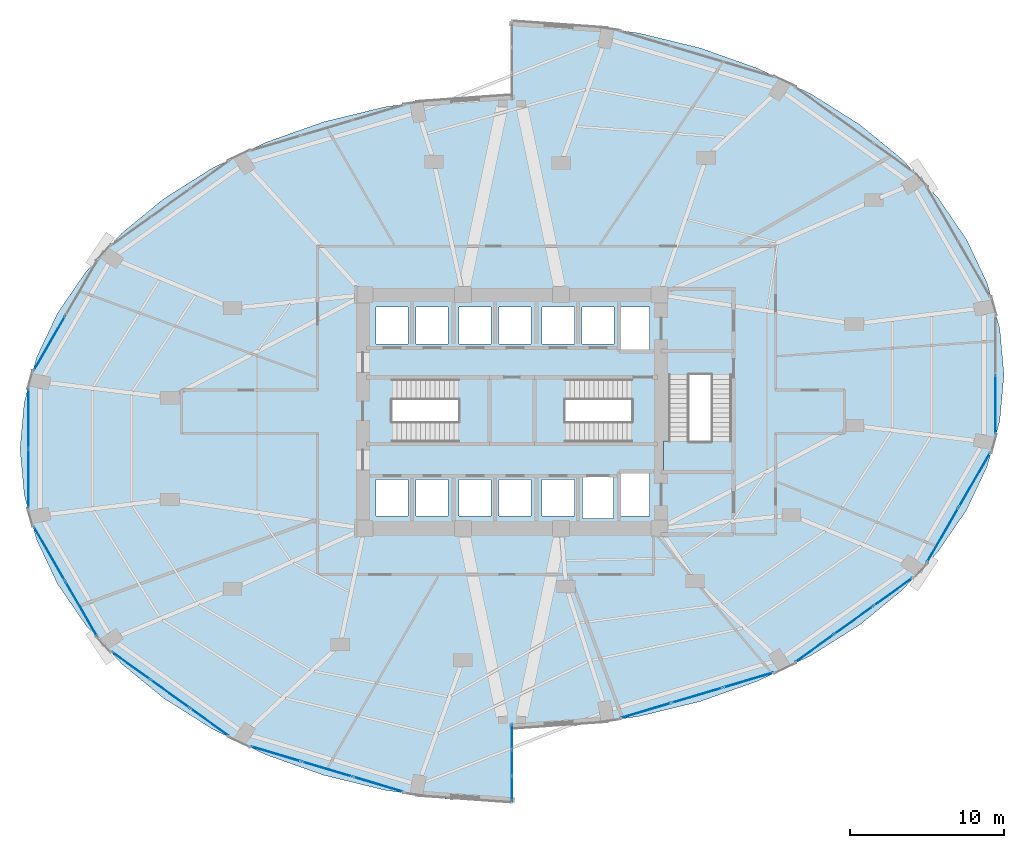
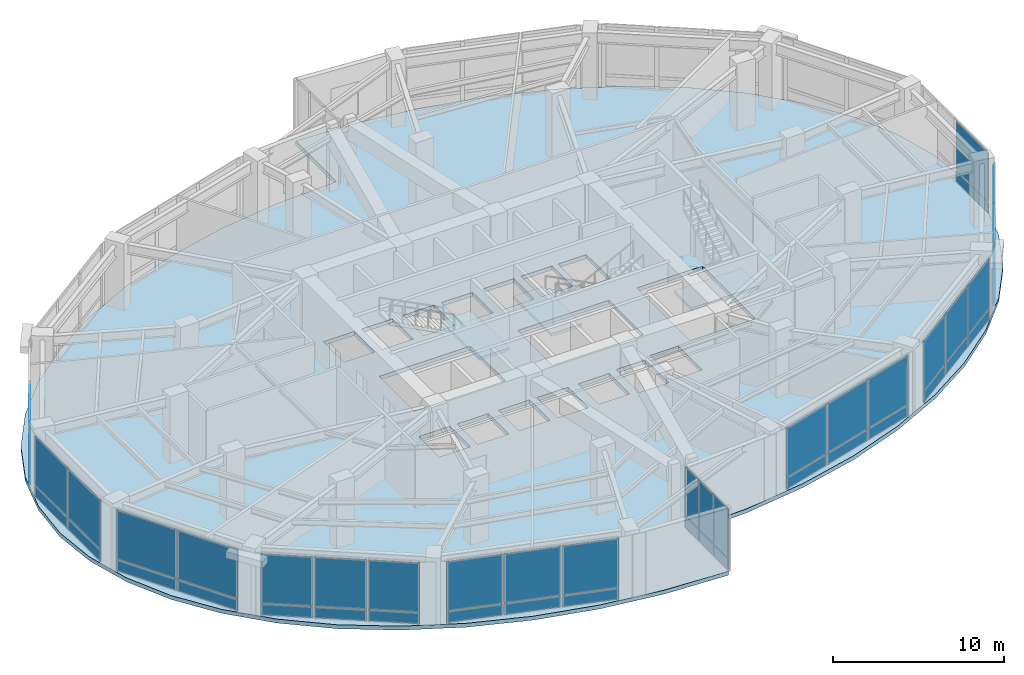
# One storey, part 19 of 24: 46 plates, 4 slabs, 13 elements without a shape of their own.
"""IFC4 building model written with IfcOpenShell, lengths in metres."""

from ifc_helpers import new_model, si_unit, direction, frame, origin, origin_2d, place, context, subcontext, project, spatial, polyline, rectangle, outline, extrude, material, layer, layer_set, type_object, element, aggregate, save


model = new_model("IFC4")

# Units and contexts
model_context = context("Model", 3, precision=1e-05, world=origin(), true_north=direction((0.0, 1.0)))
body_context = subcontext(model_context, "Body", "Model", "MODEL_VIEW")
ifc_project = project(units=[si_unit("LENGTHUNIT", "METRE"), si_unit("AREAUNIT", "SQUARE_METRE"), si_unit("VOLUMEUNIT", "CUBIC_METRE"), si_unit("PLANEANGLEUNIT", "RADIAN"), si_unit("MASSUNIT", "GRAM", prefix="KILO")], contexts=[model_context])

# Site, building, storey
site_placement = place(None, origin())
site = spatial("IfcSite", under=ifc_project, at=site_placement, CompositionType="ELEMENT")
building_placement = place(site_placement, origin())
building = spatial("IfcBuilding", under=site, at=building_placement, Name="Lazwardi Medical Tower", CompositionType="ELEMENT")
storey_placement = place(building_placement, frame((0.0, 0.0, 15.60009765625)))
storey = spatial("IfcBuildingStorey", under=building, at=storey_placement, Name="L03", CompositionType="ELEMENT", Elevation=15.60009765625)

# Curtain wall, plates
ifc_material_1 = material(Name="Anodised bronze aluminium and solar control glazing", Category="aluminium")
ifc_layer_1 = layer(ifc_material_1, 0.219970703125)
ifc_layer_set_1 = layer_set([ifc_layer_1], Name="Anodised bronze aluminium and solar control glazing")
curtain_wall_type_1 = type_object("IfcCurtainWallType", Name="CW-SYS-01", PredefinedType="NOTDEFINED", material=ifc_layer_set_1)
curtain_wall_1_placement = place(storey_placement, origin())
curtain_wall_1 = element("IfcCurtainWall", 1, at=curtain_wall_1_placement, inside=storey, type_object=curtain_wall_type_1, Name="L03 Unitised bronze curtain wall CW-01", PredefinedType="NOTDEFINED")
ifc_material_2 = material(Name="Bronze girih ceramic-frit spandrel glazing", Category="glass")
ifc_layer_2 = layer(ifc_material_2, 0.048095703125)
ifc_layer_set_2 = layer_set([ifc_layer_2], Name="Bronze girih ceramic-frit spandrel glazing")
plate_type_1 = type_object("IfcPlateType", Name="PLT-FRT-01", PredefinedType="CURTAIN_PANEL", material=ifc_layer_set_2)
plate_1_placement = place(storey_placement, frame((44.689453125, 8.552001953125, 0.0849609375), z_axis=(0.0, 0.0, 1.0), x_axis=(0.958513482597, 0.285047195531, 0.0)))
plate_1 = element("IfcPlate", 2, at=plate_1_placement, type_object=plate_type_1, Name="CW-01 panel 1.1", PredefinedType="CURTAIN_PANEL", context=body_context, shape_type="SweptSolid", body=[
    extrude(rectangle(XDim=3.380126953125, YDim=0.048095703125, at=origin_2d()), origin(), (0.0, 0.0, 1.0), 0.7724609375),
])
plate_2_placement = place(storey_placement, frame((48.031494140625, 9.5458984375, 0.0849609375), z_axis=(0.0, 0.0, 1.0), x_axis=(0.958513482597, 0.285047195531, 0.0)))
plate_2 = element("IfcPlate", 3, at=plate_2_placement, type_object=plate_type_1, Name="CW-01 panel 2.1", PredefinedType="CURTAIN_PANEL", context=body_context, shape_type="SweptSolid", body=[
    extrude(rectangle(XDim=3.422607421875, YDim=0.048095703125, at=origin_2d()), origin(), (0.0, 0.0, 1.0), 0.7724609375),
])
plate_3_placement = place(storey_placement, frame((51.373291015625, 10.539794921875, 0.0849609375), z_axis=(0.0, 0.0, 1.0), x_axis=(0.958513482597, 0.285047195531, 0.0)))
plate_3 = element("IfcPlate", 4, at=plate_3_placement, type_object=plate_type_1, Name="CW-01 panel 3.1", PredefinedType="CURTAIN_PANEL", context=body_context, shape_type="SweptSolid", body=[
    extrude(rectangle(XDim=3.380126953125, YDim=0.048095703125, at=origin_2d()), origin(), (0.0, 0.0, 1.0), 0.7724609375),
])

curtain_wall_2_placement = place(storey_placement, origin())
curtain_wall_2 = element("IfcCurtainWall", 5, at=curtain_wall_2_placement, inside=storey, type_object=curtain_wall_type_1, Name="L03 Unitised bronze curtain wall CW-01", PredefinedType="NOTDEFINED")
plate_4_placement = place(storey_placement, frame((55.675048828125, 12.603759765625, 0.0849609375), z_axis=(0.0, 0.0, 1.0), x_axis=(0.812318365083, 0.583214260584, 0.0)))
plate_4 = element("IfcPlate", 6, at=plate_4_placement, type_object=plate_type_1, Name="CW-01 panel 1.1", PredefinedType="CURTAIN_PANEL", context=body_context, shape_type="SweptSolid", body=[
    extrude(rectangle(XDim=3.040283203125, YDim=0.048095703125, at=origin_2d()), origin(), (0.0, 0.0, 1.0), 0.7724609375),
])
plate_5_placement = place(storey_placement, frame((58.231201171875, 14.43896484375, 0.0849609375), z_axis=(0.0, 0.0, 1.0), x_axis=(0.812318365083, 0.583214260584, 0.0)))
plate_5 = element("IfcPlate", 7, at=plate_5_placement, type_object=plate_type_1, Name="CW-01 panel 2.1", PredefinedType="CURTAIN_PANEL", context=body_context, shape_type="SweptSolid", body=[
    extrude(rectangle(XDim=3.082763671875, YDim=0.048095703125, at=origin_2d()), origin(), (0.0, 0.0, 1.0), 0.7724609375),
])
plate_6_placement = place(storey_placement, frame((60.787109375, 16.274169921875, 0.0849609375), z_axis=(0.0, 0.0, 1.0), x_axis=(0.812318365083, 0.583214260584, 0.0)))
plate_6 = element("IfcPlate", 8, at=plate_6_placement, type_object=plate_type_1, Name="CW-01 panel 3.1", PredefinedType="CURTAIN_PANEL", context=body_context, shape_type="SweptSolid", body=[
    extrude(rectangle(XDim=3.040283203125, YDim=0.048095703125, at=origin_2d()), origin(), (0.0, 0.0, 1.0), 0.7724609375),
])

curtain_wall_3_placement = place(storey_placement, origin())
curtain_wall_3 = element("IfcCurtainWall", 9, at=curtain_wall_3_placement, inside=storey, type_object=curtain_wall_type_1, Name="L03 Unitised bronze curtain wall CW-01", PredefinedType="NOTDEFINED")
plate_7_placement = place(storey_placement, frame((64.012451171875, 19.969970703125, 0.0849609375), z_axis=(0.0, 0.0, 1.0), x_axis=(0.499731082384, 0.866180607783, 0.0)))
plate_7 = element("IfcPlate", 10, at=plate_7_placement, type_object=plate_type_1, Name="CW-01 panel 1.1", PredefinedType="CURTAIN_PANEL", context=body_context, shape_type="SweptSolid", body=[
    extrude(rectangle(XDim=4.052734375, YDim=0.048095703125, at=origin_2d()), origin(), (0.0, 0.0, 1.0), 0.7724609375),
])
plate_8_placement = place(storey_placement, frame((66.080322265625, 23.553955078125, 0.0849609375), z_axis=(0.0, 0.0, 1.0), x_axis=(0.499731082384, 0.866180607783, 0.0)))
plate_8 = element("IfcPlate", 11, at=plate_8_placement, type_object=plate_type_1, Name="CW-01 panel 2.1", PredefinedType="CURTAIN_PANEL", context=body_context, shape_type="SweptSolid", body=[
    extrude(rectangle(XDim=4.052734375, YDim=0.048095703125, at=origin_2d()), origin(), (0.0, 0.0, 1.0), 0.7724609375),
])

# Curtain wall, plate
curtain_wall_4_placement = place(storey_placement, origin())
curtain_wall_4 = element("IfcCurtainWall", 12, at=curtain_wall_4_placement, inside=storey, type_object=curtain_wall_type_1, Name="L03 Unitised bronze curtain wall CW-01", PredefinedType="NOTDEFINED")
plate_9_placement = place(storey_placement, frame((67.439697265625, 28.461669921875, 0.0849609375), z_axis=(0.0, 0.0, 1.0), x_axis=(0.0, 1.0, 0.0)))
plate_9 = element("IfcPlate", 13, at=plate_9_placement, type_object=plate_type_1, Name="CW-01 panel 1.1", PredefinedType="CURTAIN_PANEL", context=body_context, shape_type="SweptSolid", body=[
    extrude(rectangle(XDim=3.791748046875, YDim=0.048095703125, at=origin_2d()), origin(), (0.0, 0.0, 1.0), 0.7724609375),
])

curtain_wall_5_placement = place(storey_placement, origin())
curtain_wall_5 = element("IfcCurtainWall", 14, at=curtain_wall_5_placement, inside=storey, type_object=curtain_wall_type_1, Name="L03 Unitised bronze curtain wall CW-01", PredefinedType="NOTDEFINED")
plate_10_placement = place(storey_placement, frame((5.919677734375, 32.446044921875, 0.0849609375), z_axis=(0.0, 0.0, 1.0), x_axis=(-0.499731082384, -0.866180607783, 0.0)))
plate_10 = element("IfcPlate", 15, at=plate_10_placement, type_object=plate_type_1, Name="CW-01 panel 2.1", PredefinedType="CURTAIN_PANEL", context=body_context, shape_type="SweptSolid", body=[
    extrude(rectangle(XDim=4.052734375, YDim=0.048095703125, at=origin_2d()), origin(), (0.0, 0.0, 1.0), 0.7724609375),
])

# Curtain wall, plates
curtain_wall_6_placement = place(storey_placement, origin())
curtain_wall_6 = element("IfcCurtainWall", 16, at=curtain_wall_6_placement, inside=storey, type_object=curtain_wall_type_1, Name="L03 Unitised bronze curtain wall CW-01", PredefinedType="NOTDEFINED")
plate_11_placement = place(storey_placement, frame((4.560302734375, 27.538330078125, 0.0849609375), z_axis=(0.0, 0.0, 1.0), x_axis=(0.0, -1.0, 0.0)))
plate_11 = element("IfcPlate", 17, at=plate_11_placement, type_object=plate_type_1, Name="CW-01 panel 1.1", PredefinedType="CURTAIN_PANEL", context=body_context, shape_type="SweptSolid", body=[
    extrude(rectangle(XDim=3.791748046875, YDim=0.048095703125, at=origin_2d()), origin(), (0.0, 0.0, 1.0), 0.7724609375),
])
plate_12_placement = place(storey_placement, frame((4.560302734375, 23.66162109375, 0.0849609375), z_axis=(0.0, 0.0, 1.0), x_axis=(0.0, -1.0, 0.0)))
plate_12 = element("IfcPlate", 18, at=plate_12_placement, type_object=plate_type_1, Name="CW-01 panel 2.1", PredefinedType="CURTAIN_PANEL", context=body_context, shape_type="SweptSolid", body=[
    extrude(rectangle(XDim=3.791748046875, YDim=0.048095703125, at=origin_2d()), origin(), (0.0, 0.0, 1.0), 0.7724609375),
])

curtain_wall_7_placement = place(storey_placement, origin())
curtain_wall_7 = element("IfcCurtainWall", 19, at=curtain_wall_7_placement, inside=storey, type_object=curtain_wall_type_1, Name="L03 Unitised bronze curtain wall CW-01", PredefinedType="NOTDEFINED")
plate_13_placement = place(storey_placement, frame((5.919677734375, 18.75390625, 0.0849609375), z_axis=(0.0, 0.0, 1.0), x_axis=(0.499731082384, -0.866180607783, 0.0)))
plate_13 = element("IfcPlate", 20, at=plate_13_placement, type_object=plate_type_1, Name="CW-01 panel 1.1", PredefinedType="CURTAIN_PANEL", context=body_context, shape_type="SweptSolid", body=[
    extrude(rectangle(XDim=4.052734375, YDim=0.048095703125, at=origin_2d()), origin(), (0.0, 0.0, 1.0), 0.7724609375),
])
plate_14_placement = place(storey_placement, frame((7.987548828125, 15.169921875, 0.0849609375), z_axis=(0.0, 0.0, 1.0), x_axis=(0.499731082384, -0.866180607783, 0.0)))
plate_14 = element("IfcPlate", 21, at=plate_14_placement, type_object=plate_type_1, Name="CW-01 panel 2.1", PredefinedType="CURTAIN_PANEL", context=body_context, shape_type="SweptSolid", body=[
    extrude(rectangle(XDim=4.052734375, YDim=0.048095703125, at=origin_2d()), origin(), (0.0, 0.0, 1.0), 0.7724609375),
])

curtain_wall_8_placement = place(storey_placement, origin())
curtain_wall_8 = element("IfcCurtainWall", 22, at=curtain_wall_8_placement, inside=storey, type_object=curtain_wall_type_1, Name="L03 Unitised bronze curtain wall CW-01", PredefinedType="NOTDEFINED")
plate_15_placement = place(storey_placement, frame((11.212890625, 11.47412109375, 0.0849609375), z_axis=(0.0, 0.0, 1.0), x_axis=(0.812318365083, -0.583214260584, 0.0)))
plate_15 = element("IfcPlate", 23, at=plate_15_placement, type_object=plate_type_1, Name="CW-01 panel 1.1", PredefinedType="CURTAIN_PANEL", context=body_context, shape_type="SweptSolid", body=[
    extrude(rectangle(XDim=3.040283203125, YDim=0.048095703125, at=origin_2d()), origin(), (0.0, 0.0, 1.0), 0.7724609375),
])
plate_16_placement = place(storey_placement, frame((13.768798828125, 9.638916015625, 0.0849609375), z_axis=(0.0, 0.0, 1.0), x_axis=(0.812318365083, -0.583214260584, 0.0)))
plate_16 = element("IfcPlate", 24, at=plate_16_placement, type_object=plate_type_1, Name="CW-01 panel 2.1", PredefinedType="CURTAIN_PANEL", context=body_context, shape_type="SweptSolid", body=[
    extrude(rectangle(XDim=3.082763671875, YDim=0.048095703125, at=origin_2d()), origin(), (0.0, 0.0, 1.0), 0.7724609375),
])
plate_17_placement = place(storey_placement, frame((16.324951171875, 7.803955078125, 0.0849609375), z_axis=(0.0, 0.0, 1.0), x_axis=(0.812318365083, -0.583214260584, 0.0)))
plate_17 = element("IfcPlate", 25, at=plate_17_placement, type_object=plate_type_1, Name="CW-01 panel 3.1", PredefinedType="CURTAIN_PANEL", context=body_context, shape_type="SweptSolid", body=[
    extrude(rectangle(XDim=3.040283203125, YDim=0.048095703125, at=origin_2d()), origin(), (0.0, 0.0, 1.0), 0.7724609375),
])

curtain_wall_9_placement = place(storey_placement, origin())
curtain_wall_9 = element("IfcCurtainWall", 26, at=curtain_wall_9_placement, inside=storey, type_object=curtain_wall_type_1, Name="L03 Unitised bronze curtain wall CW-01", PredefinedType="NOTDEFINED")
plate_18_placement = place(storey_placement, frame((20.626708984375, 5.73974609375, 0.0849609375), z_axis=(0.0, 0.0, 1.0), x_axis=(0.958513482597, -0.285047195531, 0.0)))
plate_18 = element("IfcPlate", 27, at=plate_18_placement, type_object=plate_type_1, Name="CW-01 panel 1.1", PredefinedType="CURTAIN_PANEL", context=body_context, shape_type="SweptSolid", body=[
    extrude(rectangle(XDim=3.380126953125, YDim=0.048095703125, at=origin_2d()), origin(), (0.0, 0.0, 1.0), 0.7724609375),
])
plate_19_placement = place(storey_placement, frame((23.968505859375, 4.745849609375, 0.0849609375), z_axis=(0.0, 0.0, 1.0), x_axis=(0.958513482597, -0.285047195531, 0.0)))
plate_19 = element("IfcPlate", 28, at=plate_19_placement, type_object=plate_type_1, Name="CW-01 panel 2.1", PredefinedType="CURTAIN_PANEL", context=body_context, shape_type="SweptSolid", body=[
    extrude(rectangle(XDim=3.422607421875, YDim=0.048095703125, at=origin_2d()), origin(), (0.0, 0.0, 1.0), 0.7724609375),
])
plate_20_placement = place(storey_placement, frame((27.310546875, 3.752197265625, 0.0849609375), z_axis=(0.0, 0.0, 1.0), x_axis=(0.958513482597, -0.285047195531, 0.0)))
plate_20 = element("IfcPlate", 29, at=plate_20_placement, type_object=plate_type_1, Name="CW-01 panel 3.1", PredefinedType="CURTAIN_PANEL", context=body_context, shape_type="SweptSolid", body=[
    extrude(rectangle(XDim=3.380126953125, YDim=0.048095703125, at=origin_2d()), origin(), (0.0, 0.0, 1.0), 0.7724609375),
])

# Plate
ifc_material_3 = material(Name="Laminated acoustic bronze double glazing", Category="glass")
ifc_layer_3 = layer(ifc_material_3, 0.0419921875)
ifc_layer_set_3 = layer_set([ifc_layer_3], Name="Laminated acoustic bronze double glazing")
plate_type_2 = type_object("IfcPlateType", Name="PLT-GLZ-02", PredefinedType="CURTAIN_PANEL", material=ifc_layer_set_3)
plate_21_placement = place(storey_placement, frame((44.689453125, 8.552001953125, 0.9423828125), z_axis=(0.0, 0.0, 1.0), x_axis=(0.958513482597, 0.285047195531, 0.0)))
plate_21 = element("IfcPlate", 30, at=plate_21_placement, type_object=plate_type_2, Name="CW-01 panel 1.2", PredefinedType="CURTAIN_PANEL", context=body_context, shape_type="SweptSolid", body=[
    extrude(rectangle(XDim=3.380126953125, YDim=0.0419921875, at=origin_2d()), origin(), (0.0, 0.0, 1.0), 3.492431640625),
])

plate_22_placement = place(storey_placement, frame((48.031494140625, 9.5458984375, 0.9423828125), z_axis=(0.0, 0.0, 1.0), x_axis=(0.958513482597, 0.285047195531, 0.0)))
plate_22 = element("IfcPlate", 31, at=plate_22_placement, type_object=plate_type_2, Name="CW-01 panel 2.2", PredefinedType="CURTAIN_PANEL", context=body_context, shape_type="SweptSolid", body=[
    extrude(rectangle(XDim=3.422607421875, YDim=0.0419921875, at=origin_2d()), origin(), (0.0, 0.0, 1.0), 3.492431640625),
])

plate_23_placement = place(storey_placement, frame((51.373291015625, 10.539794921875, 0.9423828125), z_axis=(0.0, 0.0, 1.0), x_axis=(0.958513482597, 0.285047195531, 0.0)))
plate_23 = element("IfcPlate", 32, at=plate_23_placement, type_object=plate_type_2, Name="CW-01 panel 3.2", PredefinedType="CURTAIN_PANEL", context=body_context, shape_type="SweptSolid", body=[
    extrude(rectangle(XDim=3.380126953125, YDim=0.0419921875, at=origin_2d()), origin(), (0.0, 0.0, 1.0), 3.492431640625),
])

aggregate(curtain_wall_1, [plate_1, plate_21, plate_2, plate_22, plate_3, plate_23])

plate_24_placement = place(storey_placement, frame((55.675048828125, 12.603759765625, 0.9423828125), z_axis=(0.0, 0.0, 1.0), x_axis=(0.812318365083, 0.583214260584, 0.0)))
plate_24 = element("IfcPlate", 33, at=plate_24_placement, type_object=plate_type_2, Name="CW-01 panel 1.2", PredefinedType="CURTAIN_PANEL", context=body_context, shape_type="SweptSolid", body=[
    extrude(rectangle(XDim=3.040283203125, YDim=0.0419921875, at=origin_2d()), origin(), (0.0, 0.0, 1.0), 3.492431640625),
])

plate_25_placement = place(storey_placement, frame((58.231201171875, 14.43896484375, 0.9423828125), z_axis=(0.0, 0.0, 1.0), x_axis=(0.812318365083, 0.583214260584, 0.0)))
plate_25 = element("IfcPlate", 34, at=plate_25_placement, type_object=plate_type_2, Name="CW-01 panel 2.2", PredefinedType="CURTAIN_PANEL", context=body_context, shape_type="SweptSolid", body=[
    extrude(rectangle(XDim=3.082763671875, YDim=0.0419921875, at=origin_2d()), origin(), (0.0, 0.0, 1.0), 3.492431640625),
])

plate_26_placement = place(storey_placement, frame((60.787109375, 16.274169921875, 0.9423828125), z_axis=(0.0, 0.0, 1.0), x_axis=(0.812318365083, 0.583214260584, 0.0)))
plate_26 = element("IfcPlate", 35, at=plate_26_placement, type_object=plate_type_2, Name="CW-01 panel 3.2", PredefinedType="CURTAIN_PANEL", context=body_context, shape_type="SweptSolid", body=[
    extrude(rectangle(XDim=3.040283203125, YDim=0.0419921875, at=origin_2d()), origin(), (0.0, 0.0, 1.0), 3.492431640625),
])

aggregate(curtain_wall_2, [plate_4, plate_24, plate_5, plate_25, plate_6, plate_26])

plate_27_placement = place(storey_placement, frame((64.012451171875, 19.969970703125, 0.9423828125), z_axis=(0.0, 0.0, 1.0), x_axis=(0.499731082384, 0.866180607783, 0.0)))
plate_27 = element("IfcPlate", 36, at=plate_27_placement, type_object=plate_type_2, Name="CW-01 panel 1.2", PredefinedType="CURTAIN_PANEL", context=body_context, shape_type="SweptSolid", body=[
    extrude(rectangle(XDim=4.052734375, YDim=0.0419921875, at=origin_2d()), origin(), (0.0, 0.0, 1.0), 3.492431640625),
])

plate_28_placement = place(storey_placement, frame((66.080322265625, 23.553955078125, 0.9423828125), z_axis=(0.0, 0.0, 1.0), x_axis=(0.499731082384, 0.866180607783, 0.0)))
plate_28 = element("IfcPlate", 37, at=plate_28_placement, type_object=plate_type_2, Name="CW-01 panel 2.2", PredefinedType="CURTAIN_PANEL", context=body_context, shape_type="SweptSolid", body=[
    extrude(rectangle(XDim=4.052734375, YDim=0.0419921875, at=origin_2d()), origin(), (0.0, 0.0, 1.0), 3.492431640625),
])

aggregate(curtain_wall_3, [plate_7, plate_27, plate_8, plate_28])

plate_29_placement = place(storey_placement, frame((67.439697265625, 28.461669921875, 0.9423828125), z_axis=(0.0, 0.0, 1.0), x_axis=(0.0, 1.0, 0.0)))
plate_29 = element("IfcPlate", 38, at=plate_29_placement, type_object=plate_type_2, Name="CW-01 panel 1.2", PredefinedType="CURTAIN_PANEL", context=body_context, shape_type="SweptSolid", body=[
    extrude(rectangle(XDim=3.791748046875, YDim=0.0419921875, at=origin_2d()), origin(), (0.0, 0.0, 1.0), 3.492431640625),
])

aggregate(curtain_wall_4, [plate_9, plate_29])

plate_30_placement = place(storey_placement, frame((5.919677734375, 32.446044921875, 0.9423828125), z_axis=(0.0, 0.0, 1.0), x_axis=(-0.499731082384, -0.866180607783, 0.0)))
plate_30 = element("IfcPlate", 39, at=plate_30_placement, type_object=plate_type_2, Name="CW-01 panel 2.2", PredefinedType="CURTAIN_PANEL", context=body_context, shape_type="SweptSolid", body=[
    extrude(rectangle(XDim=4.052734375, YDim=0.0419921875, at=origin_2d()), origin(), (0.0, 0.0, 1.0), 3.492431640625),
])

aggregate(curtain_wall_5, [plate_10, plate_30])

plate_31_placement = place(storey_placement, frame((4.560302734375, 27.538330078125, 0.9423828125), z_axis=(0.0, 0.0, 1.0), x_axis=(0.0, -1.0, 0.0)))
plate_31 = element("IfcPlate", 40, at=plate_31_placement, type_object=plate_type_2, Name="CW-01 panel 1.2", PredefinedType="CURTAIN_PANEL", context=body_context, shape_type="SweptSolid", body=[
    extrude(rectangle(XDim=3.791748046875, YDim=0.0419921875, at=origin_2d()), origin(), (0.0, 0.0, 1.0), 3.492431640625),
])

plate_32_placement = place(storey_placement, frame((4.560302734375, 23.66162109375, 0.9423828125), z_axis=(0.0, 0.0, 1.0), x_axis=(0.0, -1.0, 0.0)))
plate_32 = element("IfcPlate", 41, at=plate_32_placement, type_object=plate_type_2, Name="CW-01 panel 2.2", PredefinedType="CURTAIN_PANEL", context=body_context, shape_type="SweptSolid", body=[
    extrude(rectangle(XDim=3.791748046875, YDim=0.0419921875, at=origin_2d()), origin(), (0.0, 0.0, 1.0), 3.492431640625),
])

aggregate(curtain_wall_6, [plate_11, plate_31, plate_12, plate_32])

plate_33_placement = place(storey_placement, frame((5.919677734375, 18.75390625, 0.9423828125), z_axis=(0.0, 0.0, 1.0), x_axis=(0.499731082384, -0.866180607783, 0.0)))
plate_33 = element("IfcPlate", 42, at=plate_33_placement, type_object=plate_type_2, Name="CW-01 panel 1.2", PredefinedType="CURTAIN_PANEL", context=body_context, shape_type="SweptSolid", body=[
    extrude(rectangle(XDim=4.052734375, YDim=0.0419921875, at=origin_2d()), origin(), (0.0, 0.0, 1.0), 3.492431640625),
])

plate_34_placement = place(storey_placement, frame((7.987548828125, 15.169921875, 0.9423828125), z_axis=(0.0, 0.0, 1.0), x_axis=(0.499731082384, -0.866180607783, 0.0)))
plate_34 = element("IfcPlate", 43, at=plate_34_placement, type_object=plate_type_2, Name="CW-01 panel 2.2", PredefinedType="CURTAIN_PANEL", context=body_context, shape_type="SweptSolid", body=[
    extrude(rectangle(XDim=4.052734375, YDim=0.0419921875, at=origin_2d()), origin(), (0.0, 0.0, 1.0), 3.492431640625),
])

aggregate(curtain_wall_7, [plate_13, plate_33, plate_14, plate_34])

plate_35_placement = place(storey_placement, frame((11.212890625, 11.47412109375, 0.9423828125), z_axis=(0.0, 0.0, 1.0), x_axis=(0.812318365083, -0.583214260584, 0.0)))
plate_35 = element("IfcPlate", 44, at=plate_35_placement, type_object=plate_type_2, Name="CW-01 panel 1.2", PredefinedType="CURTAIN_PANEL", context=body_context, shape_type="SweptSolid", body=[
    extrude(rectangle(XDim=3.040283203125, YDim=0.0419921875, at=origin_2d()), origin(), (0.0, 0.0, 1.0), 3.492431640625),
])

plate_36_placement = place(storey_placement, frame((13.768798828125, 9.638916015625, 0.9423828125), z_axis=(0.0, 0.0, 1.0), x_axis=(0.812318365083, -0.583214260584, 0.0)))
plate_36 = element("IfcPlate", 45, at=plate_36_placement, type_object=plate_type_2, Name="CW-01 panel 2.2", PredefinedType="CURTAIN_PANEL", context=body_context, shape_type="SweptSolid", body=[
    extrude(rectangle(XDim=3.082763671875, YDim=0.0419921875, at=origin_2d()), origin(), (0.0, 0.0, 1.0), 3.492431640625),
])

plate_37_placement = place(storey_placement, frame((16.324951171875, 7.803955078125, 0.9423828125), z_axis=(0.0, 0.0, 1.0), x_axis=(0.812318365083, -0.583214260584, 0.0)))
plate_37 = element("IfcPlate", 46, at=plate_37_placement, type_object=plate_type_2, Name="CW-01 panel 3.2", PredefinedType="CURTAIN_PANEL", context=body_context, shape_type="SweptSolid", body=[
    extrude(rectangle(XDim=3.040283203125, YDim=0.0419921875, at=origin_2d()), origin(), (0.0, 0.0, 1.0), 3.492431640625),
])

aggregate(curtain_wall_8, [plate_15, plate_35, plate_16, plate_36, plate_17, plate_37])

plate_38_placement = place(storey_placement, frame((20.626708984375, 5.73974609375, 0.9423828125), z_axis=(0.0, 0.0, 1.0), x_axis=(0.958513482597, -0.285047195531, 0.0)))
plate_38 = element("IfcPlate", 47, at=plate_38_placement, type_object=plate_type_2, Name="CW-01 panel 1.2", PredefinedType="CURTAIN_PANEL", context=body_context, shape_type="SweptSolid", body=[
    extrude(rectangle(XDim=3.380126953125, YDim=0.0419921875, at=origin_2d()), origin(), (0.0, 0.0, 1.0), 3.492431640625),
])

plate_39_placement = place(storey_placement, frame((23.968505859375, 4.745849609375, 0.9423828125), z_axis=(0.0, 0.0, 1.0), x_axis=(0.958513482597, -0.285047195531, 0.0)))
plate_39 = element("IfcPlate", 48, at=plate_39_placement, type_object=plate_type_2, Name="CW-01 panel 2.2", PredefinedType="CURTAIN_PANEL", context=body_context, shape_type="SweptSolid", body=[
    extrude(rectangle(XDim=3.422607421875, YDim=0.0419921875, at=origin_2d()), origin(), (0.0, 0.0, 1.0), 3.492431640625),
])

plate_40_placement = place(storey_placement, frame((27.310546875, 3.752197265625, 0.9423828125), z_axis=(0.0, 0.0, 1.0), x_axis=(0.958513482597, -0.285047195531, 0.0)))
plate_40 = element("IfcPlate", 49, at=plate_40_placement, type_object=plate_type_2, Name="CW-01 panel 3.2", PredefinedType="CURTAIN_PANEL", context=body_context, shape_type="SweptSolid", body=[
    extrude(rectangle(XDim=3.380126953125, YDim=0.0419921875, at=origin_2d()), origin(), (0.0, 0.0, 1.0), 3.492431640625),
])

aggregate(curtain_wall_9, [plate_18, plate_38, plate_19, plate_39, plate_20, plate_40])

# Curtain wall, plates
ifc_layer_4 = layer(ifc_material_1, 0.2099609375)
ifc_layer_set_4 = layer_set([ifc_layer_4], Name="Anodised bronze aluminium and solar control glazing")
curtain_wall_type_2 = type_object("IfcCurtainWallType", Name="CW-SYS-06", PredefinedType="NOTDEFINED", material=ifc_layer_set_4)
curtain_wall_10_placement = place(storey_placement, origin())
curtain_wall_10 = element("IfcCurtainWall", 50, at=curtain_wall_10_placement, inside=storey, type_object=curtain_wall_type_2, Name="L03 Unitised bronze curtain wall CW-06", PredefinedType="NOTDEFINED")
ifc_material_4 = material(Name="Turquoise glazed ceramic insulated panel", Category="glass")
ifc_layer_5 = layer(ifc_material_4, 0.053955078125)
ifc_layer_set_5 = layer_set([ifc_layer_5], Name="Turquoise glazed ceramic insulated panel")
plate_type_3 = type_object("IfcPlateType", Name="PLT-TRQ-01", PredefinedType="CURTAIN_PANEL", material=ifc_layer_set_5)
plate_41_placement = place(storey_placement, frame((36.0, 3.47216796875, 0.074951171875), z_axis=(0.0, 0.0, 1.0), x_axis=(0.0, 1.0, 0.0)))
plate_41 = element("IfcPlate", 51, at=plate_41_placement, type_object=plate_type_3, Name="CW-06 panel 1.1", PredefinedType="CURTAIN_PANEL", context=body_context, shape_type="SweptSolid", body=[
    extrude(rectangle(XDim=1.59423828125, YDim=0.053955078125, at=origin_2d()), origin(), (0.0, 0.0, 1.0), 0.78759765625),
])
plate_42_placement = place(storey_placement, frame((36.0, 3.47216796875, 0.9375), z_axis=(0.0, 0.0, 1.0), x_axis=(0.0, 1.0, 0.0)))
plate_42 = element("IfcPlate", 52, at=plate_42_placement, type_object=plate_type_3, Name="CW-06 panel 1.2", PredefinedType="CURTAIN_PANEL", context=body_context, shape_type="SweptSolid", body=[
    extrude(rectangle(XDim=1.59423828125, YDim=0.053955078125, at=origin_2d()), origin(), (0.0, 0.0, 1.0), 3.507568359375),
])
plate_43_placement = place(storey_placement, frame((36.0, 5.159912109375, 0.074951171875), z_axis=(0.0, 0.0, 1.0), x_axis=(0.0, 1.0, 0.0)))
plate_43 = element("IfcPlate", 53, at=plate_43_placement, type_object=plate_type_3, Name="CW-06 panel 2.1", PredefinedType="CURTAIN_PANEL", context=body_context, shape_type="SweptSolid", body=[
    extrude(rectangle(XDim=1.631591796875, YDim=0.053955078125, at=origin_2d()), origin(), (0.0, 0.0, 1.0), 0.78759765625),
])
plate_44_placement = place(storey_placement, frame((36.0, 5.159912109375, 0.9375), z_axis=(0.0, 0.0, 1.0), x_axis=(0.0, 1.0, 0.0)))
plate_44 = element("IfcPlate", 54, at=plate_44_placement, type_object=plate_type_3, Name="CW-06 panel 2.2", PredefinedType="CURTAIN_PANEL", context=body_context, shape_type="SweptSolid", body=[
    extrude(rectangle(XDim=1.631591796875, YDim=0.053955078125, at=origin_2d()), origin(), (0.0, 0.0, 1.0), 3.507568359375),
])
plate_45_placement = place(storey_placement, frame((36.0, 6.847900390625, 0.074951171875), z_axis=(0.0, 0.0, 1.0), x_axis=(0.0, 1.0, 0.0)))
plate_45 = element("IfcPlate", 55, at=plate_45_placement, type_object=plate_type_3, Name="CW-06 panel 3.1", PredefinedType="CURTAIN_PANEL", context=body_context, shape_type="SweptSolid", body=[
    extrude(rectangle(XDim=1.59423828125, YDim=0.053955078125, at=origin_2d()), origin(), (0.0, 0.0, 1.0), 0.78759765625),
])
plate_46_placement = place(storey_placement, frame((36.0, 6.847900390625, 0.9375), z_axis=(0.0, 0.0, 1.0), x_axis=(0.0, 1.0, 0.0)))
plate_46 = element("IfcPlate", 56, at=plate_46_placement, type_object=plate_type_3, Name="CW-06 panel 3.2", PredefinedType="CURTAIN_PANEL", context=body_context, shape_type="SweptSolid", body=[
    extrude(rectangle(XDim=1.59423828125, YDim=0.053955078125, at=origin_2d()), origin(), (0.0, 0.0, 1.0), 3.507568359375),
])
aggregate(curtain_wall_10, [plate_41, plate_42, plate_43, plate_44, plate_45, plate_46])

# Stair, slab
ifc_material_5 = material(Name="Concrete C45/55", Category="concrete")
stair_type = type_object("IfcStairType", Name="STR-POD", PredefinedType="HALF_TURN_STAIR", material=ifc_material_5)
stair_1_placement = place(storey_placement, origin())
stair_1 = element("IfcStair", 57, at=stair_1_placement, inside=storey, type_object=stair_type, Name="L03 Protected Exit Stair ST1", PredefinedType="HALF_TURN_STAIR")
ifc_layer_6 = layer(ifc_material_5, 0.199951171875)
ifc_layer_set_6 = layer_set([ifc_layer_6], Name="Concrete C45/55")
slab_type_1 = type_object("IfcSlabType", Name="SLB-LND-190", PredefinedType="LANDING", material=ifc_layer_set_6)
slab_1_placement = place(storey_placement, frame((0.0, 0.0, 2.199951171875)))
slab_1 = element("IfcSlab", 58, at=slab_1_placement, type_object=slab_type_1, Name="ST1 landing 1", PredefinedType="LANDING", context=body_context, shape_type="SweptSolid", body=[
    extrude(outline(polyline([(32.514892578125, 25.840087890625), (34.580078125, 25.840087890625), (34.580078125, 30.280029296875), (32.514892578125, 30.280029296875), (32.514892578125, 25.840087890625)])), origin(), (0.0, 0.0, 1.0), 0.199951171875),
])
aggregate(stair_1, [slab_1])

stair_2_placement = place(storey_placement, origin())
stair_2 = element("IfcStair", 59, at=stair_2_placement, inside=storey, type_object=stair_type, Name="L03 Protected Exit Stair ST2", PredefinedType="HALF_TURN_STAIR")
slab_2_placement = place(storey_placement, frame((0.0, 0.0, 2.199951171875)))
slab_2 = element("IfcSlab", 60, at=slab_2_placement, type_object=slab_type_1, Name="ST2 landing 1", PredefinedType="LANDING", context=body_context, shape_type="SweptSolid", body=[
    extrude(outline(polyline([(39.485107421875, 30.280029296875), (37.419921875, 30.280029296875), (37.419921875, 25.840087890625), (39.485107421875, 25.840087890625), (39.485107421875, 30.280029296875)])), origin(), (0.0, 0.0, 1.0), 0.199951171875),
])
aggregate(stair_2, [slab_2])

stair_3_placement = place(storey_placement, origin())
stair_3 = element("IfcStair", 61, at=stair_3_placement, inside=storey, type_object=stair_type, Name="L03 Protected Exit Stair ST3", PredefinedType="HALF_TURN_STAIR")
slab_3_placement = place(storey_placement, frame((0.0, 0.0, 2.199951171875)))
slab_3 = element("IfcSlab", 62, at=slab_3_placement, type_object=slab_type_1, Name="ST3 landing 1", PredefinedType="LANDING", context=body_context, shape_type="SweptSolid", body=[
    extrude(outline(polyline([(45.860107421875, 26.0849609375), (45.860107421875, 24.02001953125), (50.4599609375, 24.02001953125), (50.4599609375, 26.0849609375), (45.860107421875, 26.0849609375)])), origin(), (0.0, 0.0, 1.0), 0.199951171875),
])
aggregate(stair_3, [slab_3])

# Slab
ifc_material_6 = material(Name="Concrete C50/60", Category="concrete")
ifc_layer_7 = layer(ifc_material_6, 0.280029296875)
ifc_layer_set_7 = layer_set([ifc_layer_7], Name="Concrete C50/60")
slab_type_2 = type_object("IfcSlabType", Name="SLB-POD-280", PredefinedType="FLOOR", material=ifc_layer_set_7)
slab_4_placement = place(storey_placement, frame((0.0, 0.0, -0.280029296875)))
element("IfcSlab", 63, at=slab_4_placement, inside=storey, type_object=slab_type_2, Name="Structural floor slab SF-01 L03", PredefinedType="FLOOR", context=body_context, shape_type="SweptSolid", body=[
    extrude(outline(polyline([(6.435791015625, 34.401611328125), (5.09033203125, 31.552734375), (4.273681640625, 28.60205078125), (4.0, 25.60009765625), (4.273681640625, 22.597900390625), (5.09033203125, 19.647216796875), (6.435791015625, 16.79833984375), (8.287109375, 14.10009765625), (10.61279296875, 11.598388671875), (13.37255859375, 9.33642578125), (16.51953125, 7.352783203125), (20.0, 5.681396484375), (23.754150390625, 4.350830078125), (27.7177734375, 3.3837890625), (31.8232421875, 2.796875), (36.0, 2.60009765625), (36.0, 7.39990234375), (40.1767578125, 7.5966796875), (44.2822265625, 8.18359375), (48.245849609375, 9.15087890625), (52.0, 10.4814453125), (55.48046875, 12.15283203125), (58.62744140625, 14.136474609375), (61.38720703125, 16.3984375), (63.712890625, 18.89990234375), (65.564208984375, 21.598388671875), (66.90966796875, 24.447265625), (67.726318359375, 27.39794921875), (68.0, 30.39990234375), (67.726318359375, 33.402099609375), (66.90966796875, 36.352783203125), (65.564208984375, 39.20166015625), (63.712890625, 41.89990234375), (61.38720703125, 44.401611328125), (58.62744140625, 46.66357421875), (55.48046875, 48.647216796875), (52.0, 50.318603515625), (48.245849609375, 51.649169921875), (44.2822265625, 52.6162109375), (40.1767578125, 53.203125), (36.0, 53.39990234375), (36.0, 48.60009765625), (31.8232421875, 48.4033203125), (27.7177734375, 47.81640625), (23.754150390625, 46.84912109375), (20.0, 45.5185546875), (16.51953125, 43.84716796875), (13.37255859375, 41.863525390625), (10.61279296875, 39.6015625), (8.287109375, 37.10009765625), (6.435791015625, 34.401611328125)]), holes=[polyline([(28.22509765625, 26.02001953125), (28.22509765625, 30.10009765625), (34.39990234375, 30.10009765625), (34.39990234375, 26.02001953125), (28.22509765625, 26.02001953125)]), polyline([(37.60009765625, 30.10009765625), (43.77490234375, 30.10009765625), (43.77490234375, 26.02001953125), (37.60009765625, 26.02001953125), (37.60009765625, 30.10009765625)]), polyline([(50.280029296875, 30.375), (50.280029296875, 24.179931640625), (45.840087890625, 24.179931640625), (45.840087890625, 30.375), (50.280029296875, 30.375)]), polyline([(29.25, 32.39990234375), (27.14990234375, 32.39990234375), (27.14990234375, 34.800048828125), (29.25, 34.800048828125), (29.25, 32.39990234375)]), polyline([(29.75, 32.39990234375), (29.75, 34.800048828125), (31.85009765625, 34.800048828125), (31.85009765625, 32.39990234375), (29.75, 32.39990234375)]), polyline([(27.14990234375, 23.60009765625), (29.25, 23.60009765625), (29.25, 21.199951171875), (27.14990234375, 21.199951171875), (27.14990234375, 23.60009765625)]), polyline([(31.85009765625, 23.60009765625), (31.85009765625, 21.199951171875), (29.75, 21.199951171875), (29.75, 23.60009765625), (31.85009765625, 23.60009765625)]), polyline([(34.64990234375, 32.39990234375), (32.550048828125, 32.39990234375), (32.550048828125, 34.800048828125), (34.64990234375, 34.800048828125), (34.64990234375, 32.39990234375)]), polyline([(35.14990234375, 32.39990234375), (35.14990234375, 34.800048828125), (37.25, 34.800048828125), (37.25, 32.39990234375), (35.14990234375, 32.39990234375)]), polyline([(32.550048828125, 23.60009765625), (34.64990234375, 23.60009765625), (34.64990234375, 21.199951171875), (32.550048828125, 21.199951171875), (32.550048828125, 23.60009765625)]), polyline([(37.25, 23.60009765625), (37.25, 21.199951171875), (35.14990234375, 21.199951171875), (35.14990234375, 23.60009765625), (37.25, 23.60009765625)]), polyline([(40.050048828125, 32.39990234375), (37.949951171875, 32.39990234375), (37.949951171875, 34.800048828125), (40.050048828125, 34.800048828125), (40.050048828125, 32.39990234375)]), polyline([(40.550048828125, 32.39990234375), (40.550048828125, 34.800048828125), (42.64990234375, 34.800048828125), (42.64990234375, 32.39990234375), (40.550048828125, 32.39990234375)]), polyline([(37.949951171875, 23.60009765625), (40.050048828125, 23.60009765625), (40.050048828125, 21.199951171875), (37.949951171875, 21.199951171875), (37.949951171875, 23.60009765625)]), polyline([(44.949951171875, 34.800048828125), (44.949951171875, 32.0), (43.050048828125, 32.0), (43.050048828125, 34.800048828125), (44.949951171875, 34.800048828125)]), polyline([(44.949951171875, 21.199951171875), (43.050048828125, 21.199951171875), (43.050048828125, 24.0), (44.949951171875, 24.0), (44.949951171875, 21.199951171875)]), polyline([(40.60009765625, 21.050048828125), (40.60009765625, 23.75), (42.60009765625, 23.75), (42.60009765625, 21.050048828125), (40.60009765625, 21.050048828125)])]), origin(), (0.0, 0.0, 1.0), 0.280029296875),
])

save(model, "model.ifc")
